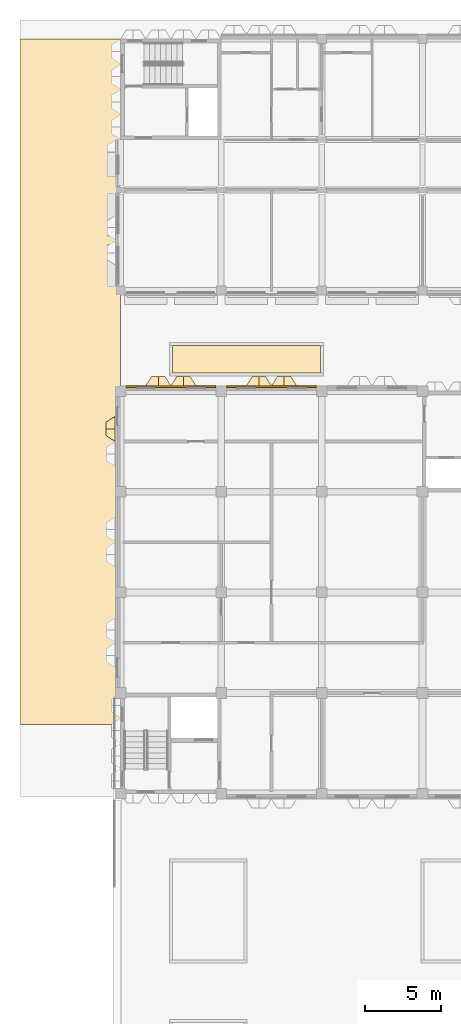
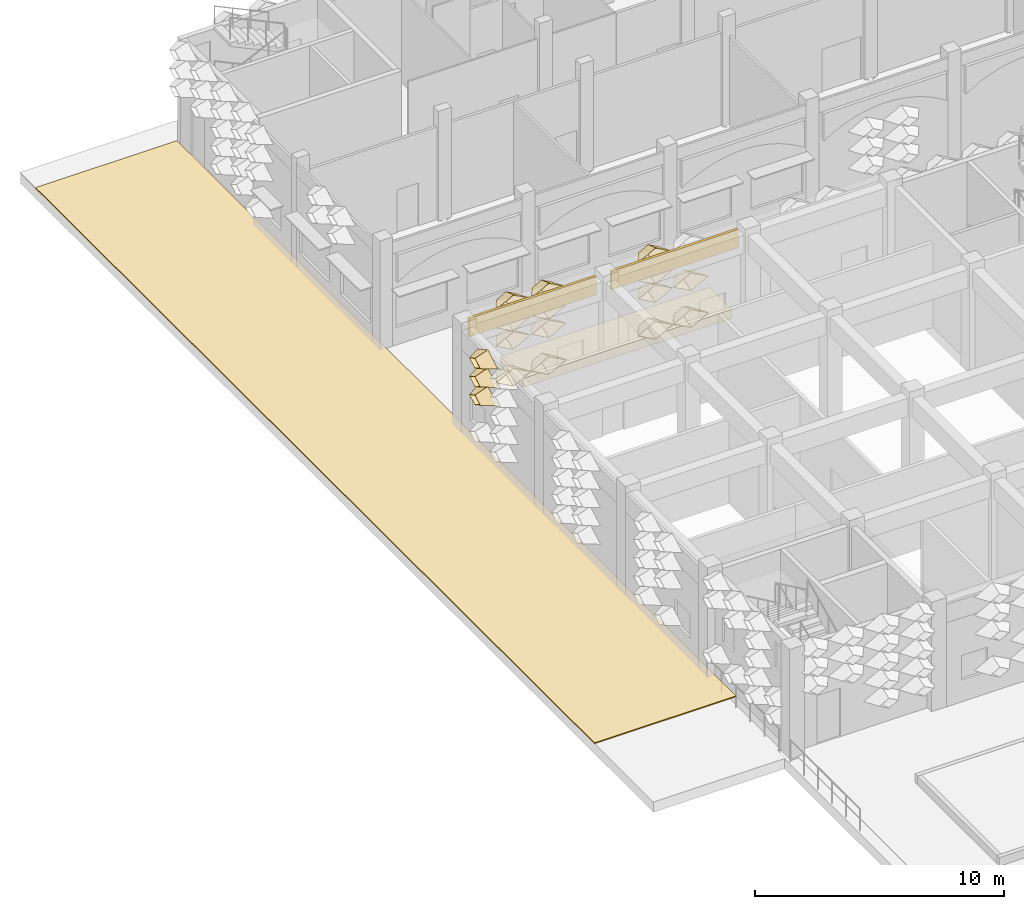
# One storey, part 65 of 85: 21 coverings.
"""IFC4 building model written with IfcOpenShell, lengths in metres."""

from ifc_helpers import new_model, entity, si_unit, direction, frame, frame_2d, origin, place, context, subcontext, project, spatial, polyline, rectangle, outline, extrude, material, layer, layer_set, type_object, element, save


model = new_model("IFC4")

# Units and contexts
model_context = context("Model", 3, precision=1e-05, world=origin(), true_north=direction((0.0, 1.0)))
body_context = subcontext(model_context, "Body", "Model", "MODEL_VIEW")
ifc_project = project(units=[si_unit("LENGTHUNIT", "METRE"), si_unit("AREAUNIT", "SQUARE_METRE"), si_unit("VOLUMEUNIT", "CUBIC_METRE"), si_unit("PLANEANGLEUNIT", "RADIAN"), si_unit("MASSUNIT", "GRAM", prefix="KILO")], contexts=[model_context])

# Site, building, storey
site_placement = place(None, origin())
site = spatial("IfcSite", under=ifc_project, at=site_placement, CompositionType="ELEMENT")
building_placement = place(site_placement, origin())
building = spatial("IfcBuilding", under=site, at=building_placement, Name="Lantern Court Research Institute", CompositionType="ELEMENT")
storey_placement = place(building_placement, origin())
storey = spatial("IfcBuildingStorey", under=building, at=storey_placement, Name="L00", CompositionType="ELEMENT", Elevation=0.0)

# Coverings
ifc_material_1 = material(Name="Aluminium composite panel with mineral wool insulation", Category="aluminium")
ifc_layer_1 = layer(ifc_material_1, 0.125)
ifc_layer_set_1 = layer_set([ifc_layer_1], Name="Aluminium composite panel with mineral wool insulation")
covering_type_1 = type_object("IfcCoveringType", Name="Edge fascia panel 125 aluminium faced", PredefinedType="CLADDING", material=ifc_layer_set_1)
covering_1_placement = place(storey_placement, frame((0.35009765625, 76.1875, 4.14990234375), z_axis=(0.0, 0.0, 1.0), x_axis=(1.0, 0.0, 0.0)))
element("IfcCovering", 1, at=covering_1_placement, inside=storey, type_object=covering_type_1, Name="Edge fascia V3N L00 01", PredefinedType="CLADDING", context=body_context, shape_type="SweptSolid", body=[
    extrude(rectangle(XDim=5.89990234375, YDim=0.125, at=frame_2d((2.949951171875, 0.0))), origin(), (0.0, 0.0, 1.0), 0.900146484375),
])
covering_2_placement = place(storey_placement, frame((6.949951171875, 76.1875, 4.14990234375), z_axis=(0.0, 0.0, 1.0), x_axis=(1.0, 0.0, 0.0)))
element("IfcCovering", 2, at=covering_2_placement, inside=storey, type_object=covering_type_1, Name="Edge fascia V3N L00 02", PredefinedType="CLADDING", context=body_context, shape_type="SweptSolid", body=[
    extrude(rectangle(XDim=5.900146484375, YDim=0.125, at=frame_2d((2.9501953125, 0.0))), origin(), (0.0, 0.0, 1.0), 0.900146484375),
])
ifc_material_2 = material(Name="Anodised aluminium", Category="aluminium")
ifc_layer_2 = layer(ifc_material_2, 0.01611328125)
ifc_layer_set_2 = layer_set([ifc_layer_2], Name="Anodised aluminium")
covering_type_2 = type_object("IfcCoveringType", Name="Fin cassette 1650 x 900 x 600 aluminium", PredefinedType="CLADDING", material=ifc_layer_set_2)
covering_3_placement = place(storey_placement, frame((2.47509765625, 76.25, 1.35009765625), z_axis=(0.0, 1.0, 0.0), x_axis=(-1.0, 0.0, 0.0)))
cartesian_point_1 = entity("IfcCartesianPoint", [0.824951171875, 0.0])
cartesian_point_2 = entity("IfcCartesianPoint", [0.79150390625, 0.0])
cartesian_point_3 = entity("IfcCartesianPoint", [0.44189453125, 0.0])
cartesian_point_4 = entity("IfcCartesianPoint", [0.43359375, 0.0])
element("IfcCovering", 3, at=covering_3_placement, inside=storey, type_object=covering_type_2, Name="Fin cassette V3N-L00 2.2", PredefinedType="CLADDING", context=body_context, shape_type="SweptSolid", body=[
    entity("IfcExtrudedAreaSolidTapered", entity("IfcArbitraryProfileDefWithVoids", "AREA", None, entity("IfcPolyline", [cartesian_point_1, entity("IfcCartesianPoint", [0.0, 0.449951171875]), entity("IfcCartesianPoint", [-0.824951171875, 0.0]), entity("IfcCartesianPoint", [0.0, -0.449951171875]), cartesian_point_1]), [entity("IfcPolyline", [cartesian_point_2, entity("IfcCartesianPoint", [0.0, 0.431884765625]), entity("IfcCartesianPoint", [-0.79150390625, 0.0]), entity("IfcCartesianPoint", [0.0, -0.431884765625]), cartesian_point_2])]), entity("IfcAxis2Placement3D", entity("IfcCartesianPoint", [0.0, 0.0, 0.0])), entity("IfcDirection", [0.0, 0.0, 1.0]), 0.60009765625, entity("IfcArbitraryProfileDefWithVoids", "AREA", None, entity("IfcPolyline", [cartesian_point_3, entity("IfcCartesianPoint", [0.0, 0.240966796875]), entity("IfcCartesianPoint", [-0.44189453125, 0.0]), entity("IfcCartesianPoint", [0.0, -0.240966796875]), cartesian_point_3]), [entity("IfcPolyline", [cartesian_point_4, entity("IfcCartesianPoint", [0.0, 0.236572265625]), entity("IfcCartesianPoint", [-0.43359375, 0.0]), entity("IfcCartesianPoint", [0.0, -0.236572265625]), cartesian_point_4])])),
])
covering_4_placement = place(storey_placement, frame((4.125, 76.25, 1.35009765625), z_axis=(0.0, 1.0, 0.0), x_axis=(-1.0, 0.0, 0.0)))
cartesian_point_5 = entity("IfcCartesianPoint", [0.824951171875, 0.0])
cartesian_point_6 = entity("IfcCartesianPoint", [0.79150390625, 0.0])
cartesian_point_7 = entity("IfcCartesianPoint", [0.44189453125, 0.0])
cartesian_point_8 = entity("IfcCartesianPoint", [0.43359375, 0.0])
element("IfcCovering", 4, at=covering_4_placement, inside=storey, type_object=covering_type_2, Name="Fin cassette V3N-L00 2.3", PredefinedType="CLADDING", context=body_context, shape_type="SweptSolid", body=[
    entity("IfcExtrudedAreaSolidTapered", entity("IfcArbitraryProfileDefWithVoids", "AREA", None, entity("IfcPolyline", [cartesian_point_5, entity("IfcCartesianPoint", [0.0, 0.449951171875]), entity("IfcCartesianPoint", [-0.824951171875, 0.0]), entity("IfcCartesianPoint", [0.0, -0.449951171875]), cartesian_point_5]), [entity("IfcPolyline", [cartesian_point_6, entity("IfcCartesianPoint", [0.0, 0.431884765625]), entity("IfcCartesianPoint", [-0.79150390625, 0.0]), entity("IfcCartesianPoint", [0.0, -0.431884765625]), cartesian_point_6])]), entity("IfcAxis2Placement3D", entity("IfcCartesianPoint", [0.0, 0.0, 0.0])), entity("IfcDirection", [0.0, 0.0, 1.0]), 0.60009765625, entity("IfcArbitraryProfileDefWithVoids", "AREA", None, entity("IfcPolyline", [cartesian_point_7, entity("IfcCartesianPoint", [0.0, 0.240966796875]), entity("IfcCartesianPoint", [-0.44189453125, 0.0]), entity("IfcCartesianPoint", [0.0, -0.240966796875]), cartesian_point_7]), [entity("IfcPolyline", [cartesian_point_8, entity("IfcCartesianPoint", [0.0, 0.236572265625]), entity("IfcCartesianPoint", [-0.43359375, 0.0]), entity("IfcCartesianPoint", [0.0, -0.236572265625]), cartesian_point_8])])),
])
covering_5_placement = place(storey_placement, frame((9.074951171875, 76.25, 1.35009765625), z_axis=(0.0, 1.0, 0.0), x_axis=(-1.0, 0.0, 0.0)))
cartesian_point_9 = entity("IfcCartesianPoint", [0.824951171875, 0.0])
cartesian_point_10 = entity("IfcCartesianPoint", [0.79150390625, 0.0])
cartesian_point_11 = entity("IfcCartesianPoint", [0.44189453125, 0.0])
cartesian_point_12 = entity("IfcCartesianPoint", [0.43359375, 0.0])
element("IfcCovering", 5, at=covering_5_placement, inside=storey, type_object=covering_type_2, Name="Fin cassette V3N-L00 2.6", PredefinedType="CLADDING", context=body_context, shape_type="SweptSolid", body=[
    entity("IfcExtrudedAreaSolidTapered", entity("IfcArbitraryProfileDefWithVoids", "AREA", None, entity("IfcPolyline", [cartesian_point_9, entity("IfcCartesianPoint", [0.0, 0.449951171875]), entity("IfcCartesianPoint", [-0.824951171875, 0.0]), entity("IfcCartesianPoint", [0.0, -0.449951171875]), cartesian_point_9]), [entity("IfcPolyline", [cartesian_point_10, entity("IfcCartesianPoint", [0.0, 0.431884765625]), entity("IfcCartesianPoint", [-0.79150390625, 0.0]), entity("IfcCartesianPoint", [0.0, -0.431884765625]), cartesian_point_10])]), entity("IfcAxis2Placement3D", entity("IfcCartesianPoint", [0.0, 0.0, 0.0])), entity("IfcDirection", [0.0, 0.0, 1.0]), 0.60009765625, entity("IfcArbitraryProfileDefWithVoids", "AREA", None, entity("IfcPolyline", [cartesian_point_11, entity("IfcCartesianPoint", [0.0, 0.240966796875]), entity("IfcCartesianPoint", [-0.44189453125, 0.0]), entity("IfcCartesianPoint", [0.0, -0.240966796875]), cartesian_point_11]), [entity("IfcPolyline", [cartesian_point_12, entity("IfcCartesianPoint", [0.0, 0.236572265625]), entity("IfcCartesianPoint", [-0.43359375, 0.0]), entity("IfcCartesianPoint", [0.0, -0.236572265625]), cartesian_point_12])])),
])
covering_6_placement = place(storey_placement, frame((10.72509765625, 76.25, 1.35009765625), z_axis=(0.0, 1.0, 0.0), x_axis=(-1.0, 0.0, 0.0)))
cartesian_point_13 = entity("IfcCartesianPoint", [0.824951171875, 0.0])
cartesian_point_14 = entity("IfcCartesianPoint", [0.79150390625, 0.0])
cartesian_point_15 = entity("IfcCartesianPoint", [0.44189453125, 0.0])
cartesian_point_16 = entity("IfcCartesianPoint", [0.43359375, 0.0])
element("IfcCovering", 6, at=covering_6_placement, inside=storey, type_object=covering_type_2, Name="Fin cassette V3N-L00 2.7", PredefinedType="CLADDING", context=body_context, shape_type="SweptSolid", body=[
    entity("IfcExtrudedAreaSolidTapered", entity("IfcArbitraryProfileDefWithVoids", "AREA", None, entity("IfcPolyline", [cartesian_point_13, entity("IfcCartesianPoint", [0.0, 0.449951171875]), entity("IfcCartesianPoint", [-0.824951171875, 0.0]), entity("IfcCartesianPoint", [0.0, -0.449951171875]), cartesian_point_13]), [entity("IfcPolyline", [cartesian_point_14, entity("IfcCartesianPoint", [0.0, 0.431884765625]), entity("IfcCartesianPoint", [-0.79150390625, 0.0]), entity("IfcCartesianPoint", [0.0, -0.431884765625]), cartesian_point_14])]), entity("IfcAxis2Placement3D", entity("IfcCartesianPoint", [0.0, 0.0, 0.0])), entity("IfcDirection", [0.0, 0.0, 1.0]), 0.60009765625, entity("IfcArbitraryProfileDefWithVoids", "AREA", None, entity("IfcPolyline", [cartesian_point_15, entity("IfcCartesianPoint", [0.0, 0.240966796875]), entity("IfcCartesianPoint", [-0.44189453125, 0.0]), entity("IfcCartesianPoint", [0.0, -0.240966796875]), cartesian_point_15]), [entity("IfcPolyline", [cartesian_point_16, entity("IfcCartesianPoint", [0.0, 0.236572265625]), entity("IfcCartesianPoint", [-0.43359375, 0.0]), entity("IfcCartesianPoint", [0.0, -0.236572265625]), cartesian_point_16])])),
])
covering_7_placement = place(storey_placement, frame((2.47509765625, 76.25, 3.14990234375), z_axis=(0.0, 1.0, 0.0), x_axis=(-1.0, 0.0, 0.0)))
cartesian_point_17 = entity("IfcCartesianPoint", [0.824951171875, 0.0])
cartesian_point_18 = entity("IfcCartesianPoint", [0.79150390625, 0.0])
cartesian_point_19 = entity("IfcCartesianPoint", [0.44189453125, 0.0])
cartesian_point_20 = entity("IfcCartesianPoint", [0.43359375, 0.0])
element("IfcCovering", 7, at=covering_7_placement, inside=storey, type_object=covering_type_2, Name="Fin cassette V3N-L00 4.2", PredefinedType="CLADDING", context=body_context, shape_type="SweptSolid", body=[
    entity("IfcExtrudedAreaSolidTapered", entity("IfcArbitraryProfileDefWithVoids", "AREA", None, entity("IfcPolyline", [cartesian_point_17, entity("IfcCartesianPoint", [0.0, 0.449951171875]), entity("IfcCartesianPoint", [-0.824951171875, 0.0]), entity("IfcCartesianPoint", [0.0, -0.449951171875]), cartesian_point_17]), [entity("IfcPolyline", [cartesian_point_18, entity("IfcCartesianPoint", [0.0, 0.431884765625]), entity("IfcCartesianPoint", [-0.79150390625, 0.0]), entity("IfcCartesianPoint", [0.0, -0.431884765625]), cartesian_point_18])]), entity("IfcAxis2Placement3D", entity("IfcCartesianPoint", [0.0, 0.0, 0.0])), entity("IfcDirection", [0.0, 0.0, 1.0]), 0.60009765625, entity("IfcArbitraryProfileDefWithVoids", "AREA", None, entity("IfcPolyline", [cartesian_point_19, entity("IfcCartesianPoint", [0.0, 0.240966796875]), entity("IfcCartesianPoint", [-0.44189453125, 0.0]), entity("IfcCartesianPoint", [0.0, -0.240966796875]), cartesian_point_19]), [entity("IfcPolyline", [cartesian_point_20, entity("IfcCartesianPoint", [0.0, 0.236572265625]), entity("IfcCartesianPoint", [-0.43359375, 0.0]), entity("IfcCartesianPoint", [0.0, -0.236572265625]), cartesian_point_20])])),
])
covering_8_placement = place(storey_placement, frame((4.125, 76.25, 3.14990234375), z_axis=(0.0, 1.0, 0.0), x_axis=(-1.0, 0.0, 0.0)))
cartesian_point_21 = entity("IfcCartesianPoint", [0.824951171875, 0.0])
cartesian_point_22 = entity("IfcCartesianPoint", [0.79150390625, 0.0])
cartesian_point_23 = entity("IfcCartesianPoint", [0.44189453125, 0.0])
cartesian_point_24 = entity("IfcCartesianPoint", [0.43359375, 0.0])
element("IfcCovering", 8, at=covering_8_placement, inside=storey, type_object=covering_type_2, Name="Fin cassette V3N-L00 4.3", PredefinedType="CLADDING", context=body_context, shape_type="SweptSolid", body=[
    entity("IfcExtrudedAreaSolidTapered", entity("IfcArbitraryProfileDefWithVoids", "AREA", None, entity("IfcPolyline", [cartesian_point_21, entity("IfcCartesianPoint", [0.0, 0.449951171875]), entity("IfcCartesianPoint", [-0.824951171875, 0.0]), entity("IfcCartesianPoint", [0.0, -0.449951171875]), cartesian_point_21]), [entity("IfcPolyline", [cartesian_point_22, entity("IfcCartesianPoint", [0.0, 0.431884765625]), entity("IfcCartesianPoint", [-0.79150390625, 0.0]), entity("IfcCartesianPoint", [0.0, -0.431884765625]), cartesian_point_22])]), entity("IfcAxis2Placement3D", entity("IfcCartesianPoint", [0.0, 0.0, 0.0])), entity("IfcDirection", [0.0, 0.0, 1.0]), 0.60009765625, entity("IfcArbitraryProfileDefWithVoids", "AREA", None, entity("IfcPolyline", [cartesian_point_23, entity("IfcCartesianPoint", [0.0, 0.240966796875]), entity("IfcCartesianPoint", [-0.44189453125, 0.0]), entity("IfcCartesianPoint", [0.0, -0.240966796875]), cartesian_point_23]), [entity("IfcPolyline", [cartesian_point_24, entity("IfcCartesianPoint", [0.0, 0.236572265625]), entity("IfcCartesianPoint", [-0.43359375, 0.0]), entity("IfcCartesianPoint", [0.0, -0.236572265625]), cartesian_point_24])])),
])
covering_9_placement = place(storey_placement, frame((9.074951171875, 76.25, 3.14990234375), z_axis=(0.0, 1.0, 0.0), x_axis=(-1.0, 0.0, 0.0)))
cartesian_point_25 = entity("IfcCartesianPoint", [0.824951171875, 0.0])
cartesian_point_26 = entity("IfcCartesianPoint", [0.79150390625, 0.0])
cartesian_point_27 = entity("IfcCartesianPoint", [0.44189453125, 0.0])
cartesian_point_28 = entity("IfcCartesianPoint", [0.43359375, 0.0])
element("IfcCovering", 9, at=covering_9_placement, inside=storey, type_object=covering_type_2, Name="Fin cassette V3N-L00 4.6", PredefinedType="CLADDING", context=body_context, shape_type="SweptSolid", body=[
    entity("IfcExtrudedAreaSolidTapered", entity("IfcArbitraryProfileDefWithVoids", "AREA", None, entity("IfcPolyline", [cartesian_point_25, entity("IfcCartesianPoint", [0.0, 0.449951171875]), entity("IfcCartesianPoint", [-0.824951171875, 0.0]), entity("IfcCartesianPoint", [0.0, -0.449951171875]), cartesian_point_25]), [entity("IfcPolyline", [cartesian_point_26, entity("IfcCartesianPoint", [0.0, 0.431884765625]), entity("IfcCartesianPoint", [-0.79150390625, 0.0]), entity("IfcCartesianPoint", [0.0, -0.431884765625]), cartesian_point_26])]), entity("IfcAxis2Placement3D", entity("IfcCartesianPoint", [0.0, 0.0, 0.0])), entity("IfcDirection", [0.0, 0.0, 1.0]), 0.60009765625, entity("IfcArbitraryProfileDefWithVoids", "AREA", None, entity("IfcPolyline", [cartesian_point_27, entity("IfcCartesianPoint", [0.0, 0.240966796875]), entity("IfcCartesianPoint", [-0.44189453125, 0.0]), entity("IfcCartesianPoint", [0.0, -0.240966796875]), cartesian_point_27]), [entity("IfcPolyline", [cartesian_point_28, entity("IfcCartesianPoint", [0.0, 0.236572265625]), entity("IfcCartesianPoint", [-0.43359375, 0.0]), entity("IfcCartesianPoint", [0.0, -0.236572265625]), cartesian_point_28])])),
])
covering_10_placement = place(storey_placement, frame((10.72509765625, 76.25, 3.14990234375), z_axis=(0.0, 1.0, 0.0), x_axis=(-1.0, 0.0, 0.0)))
cartesian_point_29 = entity("IfcCartesianPoint", [0.824951171875, 0.0])
cartesian_point_30 = entity("IfcCartesianPoint", [0.79150390625, 0.0])
cartesian_point_31 = entity("IfcCartesianPoint", [0.44189453125, 0.0])
cartesian_point_32 = entity("IfcCartesianPoint", [0.43359375, 0.0])
element("IfcCovering", 10, at=covering_10_placement, inside=storey, type_object=covering_type_2, Name="Fin cassette V3N-L00 4.7", PredefinedType="CLADDING", context=body_context, shape_type="SweptSolid", body=[
    entity("IfcExtrudedAreaSolidTapered", entity("IfcArbitraryProfileDefWithVoids", "AREA", None, entity("IfcPolyline", [cartesian_point_29, entity("IfcCartesianPoint", [0.0, 0.449951171875]), entity("IfcCartesianPoint", [-0.824951171875, 0.0]), entity("IfcCartesianPoint", [0.0, -0.449951171875]), cartesian_point_29]), [entity("IfcPolyline", [cartesian_point_30, entity("IfcCartesianPoint", [0.0, 0.431884765625]), entity("IfcCartesianPoint", [-0.79150390625, 0.0]), entity("IfcCartesianPoint", [0.0, -0.431884765625]), cartesian_point_30])]), entity("IfcAxis2Placement3D", entity("IfcCartesianPoint", [0.0, 0.0, 0.0])), entity("IfcDirection", [0.0, 0.0, 1.0]), 0.60009765625, entity("IfcArbitraryProfileDefWithVoids", "AREA", None, entity("IfcPolyline", [cartesian_point_31, entity("IfcCartesianPoint", [0.0, 0.240966796875]), entity("IfcCartesianPoint", [-0.44189453125, 0.0]), entity("IfcCartesianPoint", [0.0, -0.240966796875]), cartesian_point_31]), [entity("IfcPolyline", [cartesian_point_32, entity("IfcCartesianPoint", [0.0, 0.236572265625]), entity("IfcCartesianPoint", [-0.43359375, 0.0]), entity("IfcCartesianPoint", [0.0, -0.236572265625]), cartesian_point_32])])),
])
covering_11_placement = place(storey_placement, frame((2.47509765625, 76.25, 4.050048828125), z_axis=(0.0, 1.0, 0.0), x_axis=(-1.0, 0.0, 0.0)))
cartesian_point_33 = entity("IfcCartesianPoint", [0.824951171875, 0.0])
cartesian_point_34 = entity("IfcCartesianPoint", [0.79150390625, 0.0])
cartesian_point_35 = entity("IfcCartesianPoint", [0.44189453125, 0.0])
cartesian_point_36 = entity("IfcCartesianPoint", [0.43359375, 0.0])
element("IfcCovering", 11, at=covering_11_placement, inside=storey, type_object=covering_type_2, Name="Fin cassette V3N-L00 5.2", PredefinedType="CLADDING", context=body_context, shape_type="SweptSolid", body=[
    entity("IfcExtrudedAreaSolidTapered", entity("IfcArbitraryProfileDefWithVoids", "AREA", None, entity("IfcPolyline", [cartesian_point_33, entity("IfcCartesianPoint", [0.0, 0.449951171875]), entity("IfcCartesianPoint", [-0.824951171875, 0.0]), entity("IfcCartesianPoint", [0.0, -0.449951171875]), cartesian_point_33]), [entity("IfcPolyline", [cartesian_point_34, entity("IfcCartesianPoint", [0.0, 0.431884765625]), entity("IfcCartesianPoint", [-0.79150390625, 0.0]), entity("IfcCartesianPoint", [0.0, -0.431884765625]), cartesian_point_34])]), entity("IfcAxis2Placement3D", entity("IfcCartesianPoint", [0.0, 0.0, 0.0])), entity("IfcDirection", [0.0, 0.0, 1.0]), 0.60009765625, entity("IfcArbitraryProfileDefWithVoids", "AREA", None, entity("IfcPolyline", [cartesian_point_35, entity("IfcCartesianPoint", [0.0, 0.240966796875]), entity("IfcCartesianPoint", [-0.44189453125, 0.0]), entity("IfcCartesianPoint", [0.0, -0.240966796875]), cartesian_point_35]), [entity("IfcPolyline", [cartesian_point_36, entity("IfcCartesianPoint", [0.0, 0.236572265625]), entity("IfcCartesianPoint", [-0.43359375, 0.0]), entity("IfcCartesianPoint", [0.0, -0.236572265625]), cartesian_point_36])])),
])
covering_12_placement = place(storey_placement, frame((4.125, 76.25, 4.050048828125), z_axis=(0.0, 1.0, 0.0), x_axis=(-1.0, 0.0, 0.0)))
cartesian_point_37 = entity("IfcCartesianPoint", [0.824951171875, 0.0])
cartesian_point_38 = entity("IfcCartesianPoint", [0.79150390625, 0.0])
cartesian_point_39 = entity("IfcCartesianPoint", [0.44189453125, 0.0])
cartesian_point_40 = entity("IfcCartesianPoint", [0.43359375, 0.0])
element("IfcCovering", 12, at=covering_12_placement, inside=storey, type_object=covering_type_2, Name="Fin cassette V3N-L00 5.3", PredefinedType="CLADDING", context=body_context, shape_type="SweptSolid", body=[
    entity("IfcExtrudedAreaSolidTapered", entity("IfcArbitraryProfileDefWithVoids", "AREA", None, entity("IfcPolyline", [cartesian_point_37, entity("IfcCartesianPoint", [0.0, 0.449951171875]), entity("IfcCartesianPoint", [-0.824951171875, 0.0]), entity("IfcCartesianPoint", [0.0, -0.449951171875]), cartesian_point_37]), [entity("IfcPolyline", [cartesian_point_38, entity("IfcCartesianPoint", [0.0, 0.431884765625]), entity("IfcCartesianPoint", [-0.79150390625, 0.0]), entity("IfcCartesianPoint", [0.0, -0.431884765625]), cartesian_point_38])]), entity("IfcAxis2Placement3D", entity("IfcCartesianPoint", [0.0, 0.0, 0.0])), entity("IfcDirection", [0.0, 0.0, 1.0]), 0.60009765625, entity("IfcArbitraryProfileDefWithVoids", "AREA", None, entity("IfcPolyline", [cartesian_point_39, entity("IfcCartesianPoint", [0.0, 0.240966796875]), entity("IfcCartesianPoint", [-0.44189453125, 0.0]), entity("IfcCartesianPoint", [0.0, -0.240966796875]), cartesian_point_39]), [entity("IfcPolyline", [cartesian_point_40, entity("IfcCartesianPoint", [0.0, 0.236572265625]), entity("IfcCartesianPoint", [-0.43359375, 0.0]), entity("IfcCartesianPoint", [0.0, -0.236572265625]), cartesian_point_40])])),
])
covering_13_placement = place(storey_placement, frame((9.074951171875, 76.25, 4.050048828125), z_axis=(0.0, 1.0, 0.0), x_axis=(-1.0, 0.0, 0.0)))
cartesian_point_41 = entity("IfcCartesianPoint", [0.824951171875, 0.0])
cartesian_point_42 = entity("IfcCartesianPoint", [0.79150390625, 0.0])
cartesian_point_43 = entity("IfcCartesianPoint", [0.44189453125, 0.0])
cartesian_point_44 = entity("IfcCartesianPoint", [0.43359375, 0.0])
element("IfcCovering", 13, at=covering_13_placement, inside=storey, type_object=covering_type_2, Name="Fin cassette V3N-L00 5.6", PredefinedType="CLADDING", context=body_context, shape_type="SweptSolid", body=[
    entity("IfcExtrudedAreaSolidTapered", entity("IfcArbitraryProfileDefWithVoids", "AREA", None, entity("IfcPolyline", [cartesian_point_41, entity("IfcCartesianPoint", [0.0, 0.449951171875]), entity("IfcCartesianPoint", [-0.824951171875, 0.0]), entity("IfcCartesianPoint", [0.0, -0.449951171875]), cartesian_point_41]), [entity("IfcPolyline", [cartesian_point_42, entity("IfcCartesianPoint", [0.0, 0.431884765625]), entity("IfcCartesianPoint", [-0.79150390625, 0.0]), entity("IfcCartesianPoint", [0.0, -0.431884765625]), cartesian_point_42])]), entity("IfcAxis2Placement3D", entity("IfcCartesianPoint", [0.0, 0.0, 0.0])), entity("IfcDirection", [0.0, 0.0, 1.0]), 0.60009765625, entity("IfcArbitraryProfileDefWithVoids", "AREA", None, entity("IfcPolyline", [cartesian_point_43, entity("IfcCartesianPoint", [0.0, 0.240966796875]), entity("IfcCartesianPoint", [-0.44189453125, 0.0]), entity("IfcCartesianPoint", [0.0, -0.240966796875]), cartesian_point_43]), [entity("IfcPolyline", [cartesian_point_44, entity("IfcCartesianPoint", [0.0, 0.236572265625]), entity("IfcCartesianPoint", [-0.43359375, 0.0]), entity("IfcCartesianPoint", [0.0, -0.236572265625]), cartesian_point_44])])),
])
covering_14_placement = place(storey_placement, frame((2.47509765625, 76.25, 4.949951171875), z_axis=(0.0, 1.0, 0.0), x_axis=(-1.0, 0.0, 0.0)))
cartesian_point_45 = entity("IfcCartesianPoint", [0.824951171875, 0.0])
cartesian_point_46 = entity("IfcCartesianPoint", [0.79150390625, 0.0])
cartesian_point_47 = entity("IfcCartesianPoint", [0.44189453125, 0.0])
cartesian_point_48 = entity("IfcCartesianPoint", [0.43359375, 0.0])
element("IfcCovering", 14, at=covering_14_placement, inside=storey, type_object=covering_type_2, Name="Fin cassette V3N-L00 6.2", PredefinedType="CLADDING", context=body_context, shape_type="SweptSolid", body=[
    entity("IfcExtrudedAreaSolidTapered", entity("IfcArbitraryProfileDefWithVoids", "AREA", None, entity("IfcPolyline", [cartesian_point_45, entity("IfcCartesianPoint", [0.0, 0.449951171875]), entity("IfcCartesianPoint", [-0.824951171875, 0.0]), entity("IfcCartesianPoint", [0.0, -0.449951171875]), cartesian_point_45]), [entity("IfcPolyline", [cartesian_point_46, entity("IfcCartesianPoint", [0.0, 0.431884765625]), entity("IfcCartesianPoint", [-0.79150390625, 0.0]), entity("IfcCartesianPoint", [0.0, -0.431884765625]), cartesian_point_46])]), entity("IfcAxis2Placement3D", entity("IfcCartesianPoint", [0.0, 0.0, 0.0])), entity("IfcDirection", [0.0, 0.0, 1.0]), 0.60009765625, entity("IfcArbitraryProfileDefWithVoids", "AREA", None, entity("IfcPolyline", [cartesian_point_47, entity("IfcCartesianPoint", [0.0, 0.240966796875]), entity("IfcCartesianPoint", [-0.44189453125, 0.0]), entity("IfcCartesianPoint", [0.0, -0.240966796875]), cartesian_point_47]), [entity("IfcPolyline", [cartesian_point_48, entity("IfcCartesianPoint", [0.0, 0.236572265625]), entity("IfcCartesianPoint", [-0.43359375, 0.0]), entity("IfcCartesianPoint", [0.0, -0.236572265625]), cartesian_point_48])])),
])
covering_15_placement = place(storey_placement, frame((4.125, 76.25, 4.949951171875), z_axis=(0.0, 1.0, 0.0), x_axis=(-1.0, 0.0, 0.0)))
cartesian_point_49 = entity("IfcCartesianPoint", [0.824951171875, 0.0])
cartesian_point_50 = entity("IfcCartesianPoint", [0.79150390625, 0.0])
cartesian_point_51 = entity("IfcCartesianPoint", [0.44189453125, 0.0])
cartesian_point_52 = entity("IfcCartesianPoint", [0.43359375, 0.0])
element("IfcCovering", 15, at=covering_15_placement, inside=storey, type_object=covering_type_2, Name="Fin cassette V3N-L00 6.3", PredefinedType="CLADDING", context=body_context, shape_type="SweptSolid", body=[
    entity("IfcExtrudedAreaSolidTapered", entity("IfcArbitraryProfileDefWithVoids", "AREA", None, entity("IfcPolyline", [cartesian_point_49, entity("IfcCartesianPoint", [0.0, 0.449951171875]), entity("IfcCartesianPoint", [-0.824951171875, 0.0]), entity("IfcCartesianPoint", [0.0, -0.449951171875]), cartesian_point_49]), [entity("IfcPolyline", [cartesian_point_50, entity("IfcCartesianPoint", [0.0, 0.431884765625]), entity("IfcCartesianPoint", [-0.79150390625, 0.0]), entity("IfcCartesianPoint", [0.0, -0.431884765625]), cartesian_point_50])]), entity("IfcAxis2Placement3D", entity("IfcCartesianPoint", [0.0, 0.0, 0.0])), entity("IfcDirection", [0.0, 0.0, 1.0]), 0.60009765625, entity("IfcArbitraryProfileDefWithVoids", "AREA", None, entity("IfcPolyline", [cartesian_point_51, entity("IfcCartesianPoint", [0.0, 0.240966796875]), entity("IfcCartesianPoint", [-0.44189453125, 0.0]), entity("IfcCartesianPoint", [0.0, -0.240966796875]), cartesian_point_51]), [entity("IfcPolyline", [cartesian_point_52, entity("IfcCartesianPoint", [0.0, 0.236572265625]), entity("IfcCartesianPoint", [-0.43359375, 0.0]), entity("IfcCartesianPoint", [0.0, -0.236572265625]), cartesian_point_52])])),
])
covering_16_placement = place(storey_placement, frame((9.074951171875, 76.25, 4.949951171875), z_axis=(0.0, 1.0, 0.0), x_axis=(-1.0, 0.0, 0.0)))
cartesian_point_53 = entity("IfcCartesianPoint", [0.824951171875, 0.0])
cartesian_point_54 = entity("IfcCartesianPoint", [0.79150390625, 0.0])
cartesian_point_55 = entity("IfcCartesianPoint", [0.44189453125, 0.0])
cartesian_point_56 = entity("IfcCartesianPoint", [0.43359375, 0.0])
element("IfcCovering", 16, at=covering_16_placement, inside=storey, type_object=covering_type_2, Name="Fin cassette V3N-L00 6.6", PredefinedType="CLADDING", context=body_context, shape_type="SweptSolid", body=[
    entity("IfcExtrudedAreaSolidTapered", entity("IfcArbitraryProfileDefWithVoids", "AREA", None, entity("IfcPolyline", [cartesian_point_53, entity("IfcCartesianPoint", [0.0, 0.449951171875]), entity("IfcCartesianPoint", [-0.824951171875, 0.0]), entity("IfcCartesianPoint", [0.0, -0.449951171875]), cartesian_point_53]), [entity("IfcPolyline", [cartesian_point_54, entity("IfcCartesianPoint", [0.0, 0.431884765625]), entity("IfcCartesianPoint", [-0.79150390625, 0.0]), entity("IfcCartesianPoint", [0.0, -0.431884765625]), cartesian_point_54])]), entity("IfcAxis2Placement3D", entity("IfcCartesianPoint", [0.0, 0.0, 0.0])), entity("IfcDirection", [0.0, 0.0, 1.0]), 0.60009765625, entity("IfcArbitraryProfileDefWithVoids", "AREA", None, entity("IfcPolyline", [cartesian_point_55, entity("IfcCartesianPoint", [0.0, 0.240966796875]), entity("IfcCartesianPoint", [-0.44189453125, 0.0]), entity("IfcCartesianPoint", [0.0, -0.240966796875]), cartesian_point_55]), [entity("IfcPolyline", [cartesian_point_56, entity("IfcCartesianPoint", [0.0, 0.236572265625]), entity("IfcCartesianPoint", [-0.43359375, 0.0]), entity("IfcCartesianPoint", [0.0, -0.236572265625]), cartesian_point_56])])),
])
covering_17_placement = place(storey_placement, frame((-0.35009765625, 73.425048828125, 3.14990234375), z_axis=(-1.0, 0.0, 0.0), x_axis=(0.0, -1.0, 0.0)))
cartesian_point_57 = entity("IfcCartesianPoint", [0.824951171875, 0.0])
cartesian_point_58 = entity("IfcCartesianPoint", [0.79150390625, 0.0])
cartesian_point_59 = entity("IfcCartesianPoint", [0.44189453125, 0.0])
cartesian_point_60 = entity("IfcCartesianPoint", [0.43359375, 0.0])
element("IfcCovering", 17, at=covering_17_placement, inside=storey, type_object=covering_type_2, Name="Fin cassette V3W-L00 4.45", PredefinedType="CLADDING", context=body_context, shape_type="SweptSolid", body=[
    entity("IfcExtrudedAreaSolidTapered", entity("IfcArbitraryProfileDefWithVoids", "AREA", None, entity("IfcPolyline", [cartesian_point_57, entity("IfcCartesianPoint", [0.0, 0.449951171875]), entity("IfcCartesianPoint", [-0.824951171875, 0.0]), entity("IfcCartesianPoint", [0.0, -0.449951171875]), cartesian_point_57]), [entity("IfcPolyline", [cartesian_point_58, entity("IfcCartesianPoint", [0.0, 0.431884765625]), entity("IfcCartesianPoint", [-0.79150390625, 0.0]), entity("IfcCartesianPoint", [0.0, -0.431884765625]), cartesian_point_58])]), entity("IfcAxis2Placement3D", entity("IfcCartesianPoint", [0.0, 0.0, 0.0])), entity("IfcDirection", [0.0, 0.0, 1.0]), 0.60009765625, entity("IfcArbitraryProfileDefWithVoids", "AREA", None, entity("IfcPolyline", [cartesian_point_59, entity("IfcCartesianPoint", [0.0, 0.240966796875]), entity("IfcCartesianPoint", [-0.44189453125, 0.0]), entity("IfcCartesianPoint", [0.0, -0.240966796875]), cartesian_point_59]), [entity("IfcPolyline", [cartesian_point_60, entity("IfcCartesianPoint", [0.0, 0.236572265625]), entity("IfcCartesianPoint", [-0.43359375, 0.0]), entity("IfcCartesianPoint", [0.0, -0.236572265625]), cartesian_point_60])])),
])
covering_18_placement = place(storey_placement, frame((-0.35009765625, 73.425048828125, 4.050048828125), z_axis=(-1.0, 0.0, 0.0), x_axis=(0.0, -1.0, 0.0)))
cartesian_point_61 = entity("IfcCartesianPoint", [0.824951171875, 0.0])
cartesian_point_62 = entity("IfcCartesianPoint", [0.79150390625, 0.0])
cartesian_point_63 = entity("IfcCartesianPoint", [0.44189453125, 0.0])
cartesian_point_64 = entity("IfcCartesianPoint", [0.43359375, 0.0])
element("IfcCovering", 18, at=covering_18_placement, inside=storey, type_object=covering_type_2, Name="Fin cassette V3W-L00 5.45", PredefinedType="CLADDING", context=body_context, shape_type="SweptSolid", body=[
    entity("IfcExtrudedAreaSolidTapered", entity("IfcArbitraryProfileDefWithVoids", "AREA", None, entity("IfcPolyline", [cartesian_point_61, entity("IfcCartesianPoint", [0.0, 0.449951171875]), entity("IfcCartesianPoint", [-0.824951171875, 0.0]), entity("IfcCartesianPoint", [0.0, -0.449951171875]), cartesian_point_61]), [entity("IfcPolyline", [cartesian_point_62, entity("IfcCartesianPoint", [0.0, 0.431884765625]), entity("IfcCartesianPoint", [-0.79150390625, 0.0]), entity("IfcCartesianPoint", [0.0, -0.431884765625]), cartesian_point_62])]), entity("IfcAxis2Placement3D", entity("IfcCartesianPoint", [0.0, 0.0, 0.0])), entity("IfcDirection", [0.0, 0.0, 1.0]), 0.60009765625, entity("IfcArbitraryProfileDefWithVoids", "AREA", None, entity("IfcPolyline", [cartesian_point_63, entity("IfcCartesianPoint", [0.0, 0.240966796875]), entity("IfcCartesianPoint", [-0.44189453125, 0.0]), entity("IfcCartesianPoint", [0.0, -0.240966796875]), cartesian_point_63]), [entity("IfcPolyline", [cartesian_point_64, entity("IfcCartesianPoint", [0.0, 0.236572265625]), entity("IfcCartesianPoint", [-0.43359375, 0.0]), entity("IfcCartesianPoint", [0.0, -0.236572265625]), cartesian_point_64])])),
])
covering_19_placement = place(storey_placement, frame((-0.35009765625, 73.425048828125, 4.949951171875), z_axis=(-1.0, 0.0, 0.0), x_axis=(0.0, -1.0, 0.0)))
cartesian_point_65 = entity("IfcCartesianPoint", [0.824951171875, 0.0])
cartesian_point_66 = entity("IfcCartesianPoint", [0.79150390625, 0.0])
cartesian_point_67 = entity("IfcCartesianPoint", [0.44189453125, 0.0])
cartesian_point_68 = entity("IfcCartesianPoint", [0.43359375, 0.0])
element("IfcCovering", 19, at=covering_19_placement, inside=storey, type_object=covering_type_2, Name="Fin cassette V3W-L00 6.45", PredefinedType="CLADDING", context=body_context, shape_type="SweptSolid", body=[
    entity("IfcExtrudedAreaSolidTapered", entity("IfcArbitraryProfileDefWithVoids", "AREA", None, entity("IfcPolyline", [cartesian_point_65, entity("IfcCartesianPoint", [0.0, 0.449951171875]), entity("IfcCartesianPoint", [-0.824951171875, 0.0]), entity("IfcCartesianPoint", [0.0, -0.449951171875]), cartesian_point_65]), [entity("IfcPolyline", [cartesian_point_66, entity("IfcCartesianPoint", [0.0, 0.431884765625]), entity("IfcCartesianPoint", [-0.79150390625, 0.0]), entity("IfcCartesianPoint", [0.0, -0.431884765625]), cartesian_point_66])]), entity("IfcAxis2Placement3D", entity("IfcCartesianPoint", [0.0, 0.0, 0.0])), entity("IfcDirection", [0.0, 0.0, 1.0]), 0.60009765625, entity("IfcArbitraryProfileDefWithVoids", "AREA", None, entity("IfcPolyline", [cartesian_point_67, entity("IfcCartesianPoint", [0.0, 0.240966796875]), entity("IfcCartesianPoint", [-0.44189453125, 0.0]), entity("IfcCartesianPoint", [0.0, -0.240966796875]), cartesian_point_67]), [entity("IfcPolyline", [cartesian_point_68, entity("IfcCartesianPoint", [0.0, 0.236572265625]), entity("IfcCartesianPoint", [-0.43359375, 0.0]), entity("IfcCartesianPoint", [0.0, -0.236572265625]), cartesian_point_68])])),
])
ifc_material_3 = material(Name="Asphalt wearing course")
ifc_layer_3 = layer(ifc_material_3, 0.050048828125)
ifc_layer_set_3 = layer_set([ifc_layer_3], Name="Asphalt wearing course")
covering_type_3 = type_object("IfcCoveringType", Name="Lane paving 50 mm", PredefinedType="FLOORING", material=ifc_layer_set_3)
covering_20_placement = place(storey_placement, origin())
element("IfcCovering", 20, at=covering_20_placement, inside=storey, type_object=covering_type_3, Name="West lane paving 1", PredefinedType="FLOORING", context=body_context, shape_type="SweptSolid", body=[
    extrude(outline(polyline([(0.0, 75.919921875), (-0.001953125, 75.919921875), (-0.00390625, 75.919921875), (-0.006103515625, 75.9189453125), (-0.008056640625, 75.91796875), (-0.009033203125, 75.91796875), (-0.010986328125, 75.9169921875), (-0.012939453125, 75.9150390625), (-0.013916015625, 75.9140625), (-0.014892578125, 75.9130859375), (-0.01708984375, 75.910888671875), (-0.01806640625, 75.908935546875), (-0.01806640625, 75.907958984375), (-0.01904296875, 75.906005859375), (-0.02001953125, 75.904052734375), (-0.02001953125, 75.902099609375), (-0.02001953125, 75.89990234375), (-0.02001953125, 54.02001953125), (-6.596923828125, 54.02001953125), (-6.596923828125, 99.0), (-0.02001953125, 99.0), (-0.02001953125, 82.5), (-0.02001953125, 82.498046875), (-0.02001953125, 82.49609375), (-0.01904296875, 82.493896484375), (-0.01806640625, 82.491943359375), (-0.01806640625, 82.490966796875), (-0.01708984375, 82.489013671875), (-0.014892578125, 82.487060546875), (-0.013916015625, 82.486083984375), (-0.012939453125, 82.485107421875), (-0.010986328125, 82.48291015625), (-0.009033203125, 82.48193359375), (-0.008056640625, 82.48193359375), (-0.006103515625, 82.48095703125), (-0.00390625, 82.47998046875), (-0.001953125, 82.47998046875), (0.0, 82.47998046875), (0.0, 75.919921875)])), origin(), (0.0, 0.0, 1.0), 0.050048828125),
])
ifc_material_4 = material(Name="Planting soil")
ifc_layer_4 = layer(ifc_material_4, 0.449951171875)
ifc_layer_set_4 = layer_set([ifc_layer_4], Name="Planting soil")
covering_type_4 = type_object("IfcCoveringType", Name="Planting soil 450 mm", PredefinedType="FLOORING", material=ifc_layer_set_4)
covering_21_placement = place(storey_placement, origin())
element("IfcCovering", 21, at=covering_21_placement, inside=storey, type_object=covering_type_4, Name="Planting bed north passage 1", PredefinedType="FLOORING", context=body_context, shape_type="SweptSolid", body=[
    extrude(outline(polyline([(3.39990234375, 77.10009765625), (13.10009765625, 77.10009765625), (13.10009765625, 78.89990234375), (3.39990234375, 78.89990234375), (3.39990234375, 77.10009765625)])), origin(), (0.0, 0.0, 1.0), 0.449951171875),
])

save(model, "model.ifc")
